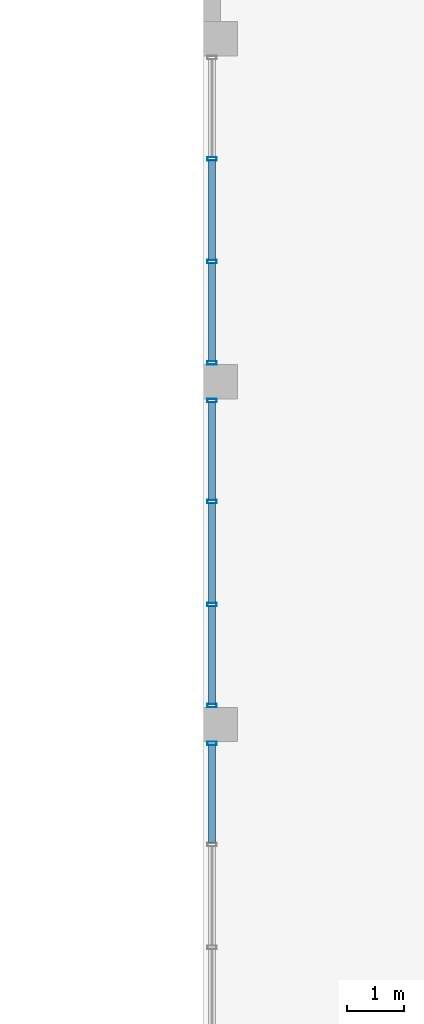
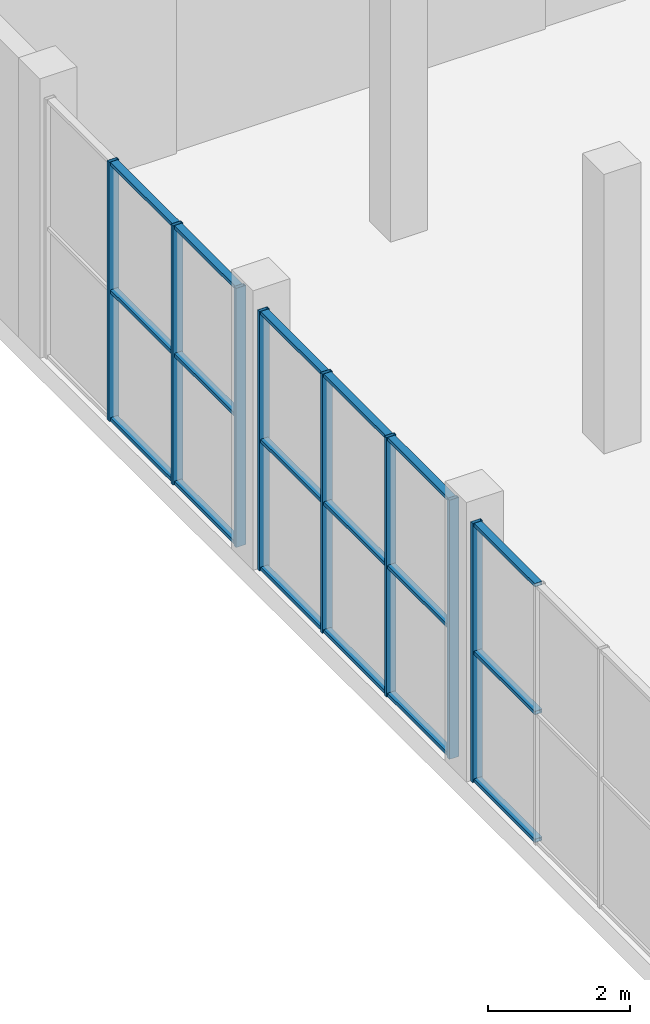
# One storey, part 10 of 45: 26 members, 3 elements without a shape of their own.
"""IFC4 building model written with IfcOpenShell, lengths in metres."""

from ifc_helpers import new_model, si_unit, direction, frame, origin, origin_2d, place, context, subcontext, project, spatial, hollow_rectangle, extrude, material, layer, layer_set, material_profile, profile_set, type_object, element, aggregate, save


model = new_model("IFC4")

# Units and contexts
model_context = context("Model", 3, precision=1e-05, world=origin(), true_north=direction((0.0, 1.0)))
body_context = subcontext(model_context, "Body", "Model", "MODEL_VIEW")
ifc_project = project(units=[si_unit("LENGTHUNIT", "METRE"), si_unit("AREAUNIT", "SQUARE_METRE"), si_unit("VOLUMEUNIT", "CUBIC_METRE"), si_unit("PLANEANGLEUNIT", "RADIAN"), si_unit("MASSUNIT", "GRAM", prefix="KILO")], contexts=[model_context])

# Site, building, storey
site_placement = place(None, origin())
site = spatial("IfcSite", under=ifc_project, at=site_placement, CompositionType="ELEMENT")
building_placement = place(site_placement, origin())
building = spatial("IfcBuilding", under=site, at=building_placement, Name="Nakaniwa Court", CompositionType="ELEMENT")
storey_placement = place(building_placement, frame((0.0, 0.0, 6.60009765625)))
storey = spatial("IfcBuildingStorey", under=building, at=storey_placement, Name="L01", CompositionType="ELEMENT", Elevation=6.60009765625)

# Curtain wall, member
ifc_material_1 = material(Name="Dark low-E laminated glass in black aluminium frame", Category="aluminium")
ifc_layer = layer(ifc_material_1, 0.159912109375)
ifc_layer_set = layer_set([ifc_layer], Name="Dark low-E laminated glass in black aluminium frame")
curtain_wall_type = type_object("IfcCurtainWallType", Name="Hall foyer curtain wall CW6", PredefinedType="NOTDEFINED", material=ifc_layer_set)
curtain_wall_1_placement = place(storey_placement, origin())
curtain_wall_1 = element("IfcCurtainWall", 1, at=curtain_wall_1_placement, inside=storey, type_object=curtain_wall_type, Name="Foyer curtain wall L01:004", PredefinedType="NOTDEFINED")
ifc_material_2 = material(Name="Extruded aluminium 6063-T6 black anodised", Category="aluminium")
ifc_material_profile_1 = material_profile(ifc_material_2, hollow_rectangle(XDim=0.159912109375, YDim=0.06005859375, WallThickness=0.0029296875, at=origin_2d()), Name="CW mullion 160x60")
ifc_profile_set_1 = profile_set([ifc_material_profile_1], Name="Extruded aluminium 6063-T6 black anodised")
member_type_1 = type_object("IfcMemberType", Name="Curtain wall mullion 160x60", PredefinedType="MULLION", material=ifc_profile_set_1)
member_1_placement = place(storey_placement, frame((152.14990234375, 79.669921875, 0.0), z_axis=(0.0, 0.0, 1.0), x_axis=(-1.0, 0.0, 0.0)))
member_1 = element("IfcMember", 2, at=member_1_placement, type_object=member_type_1, Name="HCW-02 mullion 4", PredefinedType="MULLION", context=body_context, shape_type="SweptSolid", body=[
    extrude(hollow_rectangle(XDim=0.159912109375, YDim=0.06005859375, WallThickness=0.0029296875, at=origin_2d()), origin(), (0.0, 0.0, 1.0), 4.449951171875),
])

# Curtain wall, members
curtain_wall_2_placement = place(storey_placement, origin())
curtain_wall_2 = element("IfcCurtainWall", 3, at=curtain_wall_2_placement, inside=storey, type_object=curtain_wall_type, Name="Foyer curtain wall L01:005", PredefinedType="NOTDEFINED")
member_2_placement = place(storey_placement, frame((152.14990234375, 80.330078125, 0.0), z_axis=(0.0, 0.0, 1.0), x_axis=(-1.0, 0.0, 0.0)))
member_2 = element("IfcMember", 4, at=member_2_placement, type_object=member_type_1, Name="HCW-03 mullion 1", PredefinedType="MULLION", context=body_context, shape_type="SweptSolid", body=[
    extrude(hollow_rectangle(XDim=0.159912109375, YDim=0.06005859375, WallThickness=0.0029296875, at=origin_2d()), origin(), (0.0, 0.0, 1.0), 4.449951171875),
])
member_3_placement = place(storey_placement, frame((152.14990234375, 82.10009765625, 0.0), z_axis=(0.0, 0.0, 1.0), x_axis=(-1.0, 0.0, 0.0)))
member_3 = element("IfcMember", 5, at=member_3_placement, type_object=member_type_1, Name="HCW-03 mullion 2", PredefinedType="MULLION", context=body_context, shape_type="SweptSolid", body=[
    extrude(hollow_rectangle(XDim=0.159912109375, YDim=0.06005859375, WallThickness=0.0029296875, at=origin_2d()), origin(), (0.0, 0.0, 1.0), 4.449951171875),
])
member_4_placement = place(storey_placement, frame((152.14990234375, 83.89990234375, 0.0), z_axis=(0.0, 0.0, 1.0), x_axis=(-1.0, 0.0, 0.0)))
member_4 = element("IfcMember", 6, at=member_4_placement, type_object=member_type_1, Name="HCW-03 mullion 3", PredefinedType="MULLION", context=body_context, shape_type="SweptSolid", body=[
    extrude(hollow_rectangle(XDim=0.159912109375, YDim=0.06005859375, WallThickness=0.0029296875, at=origin_2d()), origin(), (0.0, 0.0, 1.0), 4.449951171875),
])
member_5_placement = place(storey_placement, frame((152.14990234375, 85.669921875, 0.0), z_axis=(0.0, 0.0, 1.0), x_axis=(-1.0, 0.0, 0.0)))
member_5 = element("IfcMember", 7, at=member_5_placement, type_object=member_type_1, Name="HCW-03 mullion 4", PredefinedType="MULLION", context=body_context, shape_type="SweptSolid", body=[
    extrude(hollow_rectangle(XDim=0.159912109375, YDim=0.06005859375, WallThickness=0.0029296875, at=origin_2d()), origin(), (0.0, 0.0, 1.0), 4.449951171875),
])

curtain_wall_3_placement = place(storey_placement, origin())
curtain_wall_3 = element("IfcCurtainWall", 8, at=curtain_wall_3_placement, inside=storey, type_object=curtain_wall_type, Name="Foyer curtain wall L01:006", PredefinedType="NOTDEFINED")
member_6_placement = place(storey_placement, frame((152.14990234375, 86.330078125, 0.0), z_axis=(0.0, 0.0, 1.0), x_axis=(-1.0, 0.0, 0.0)))
member_6 = element("IfcMember", 9, at=member_6_placement, type_object=member_type_1, Name="HCW-04 mullion 1", PredefinedType="MULLION", context=body_context, shape_type="SweptSolid", body=[
    extrude(hollow_rectangle(XDim=0.159912109375, YDim=0.06005859375, WallThickness=0.0029296875, at=origin_2d()), origin(), (0.0, 0.0, 1.0), 4.449951171875),
])
member_7_placement = place(storey_placement, frame((152.14990234375, 88.10009765625, 0.0), z_axis=(0.0, 0.0, 1.0), x_axis=(-1.0, 0.0, 0.0)))
member_7 = element("IfcMember", 10, at=member_7_placement, type_object=member_type_1, Name="HCW-04 mullion 2", PredefinedType="MULLION", context=body_context, shape_type="SweptSolid", body=[
    extrude(hollow_rectangle(XDim=0.159912109375, YDim=0.06005859375, WallThickness=0.0029296875, at=origin_2d()), origin(), (0.0, 0.0, 1.0), 4.449951171875),
])
member_8_placement = place(storey_placement, frame((152.14990234375, 89.89990234375, 0.0), z_axis=(0.0, 0.0, 1.0), x_axis=(-1.0, 0.0, 0.0)))
member_8 = element("IfcMember", 11, at=member_8_placement, type_object=member_type_1, Name="HCW-04 mullion 3", PredefinedType="MULLION", context=body_context, shape_type="SweptSolid", body=[
    extrude(hollow_rectangle(XDim=0.159912109375, YDim=0.06005859375, WallThickness=0.0029296875, at=origin_2d()), origin(), (0.0, 0.0, 1.0), 4.449951171875),
])

# Member
ifc_material_profile_2 = material_profile(ifc_material_2, hollow_rectangle(XDim=0.1201171875, YDim=0.06005859375, WallThickness=0.0029296875, at=origin_2d()), Name="CW transom 120x60")
ifc_profile_set_2 = profile_set([ifc_material_profile_2], Name="Extruded aluminium 6063-T6 black anodised")
member_type_2 = type_object("IfcMemberType", Name="Curtain wall transom 120x60", PredefinedType="USERDEFINED", material=ifc_profile_set_2)
member_9_placement = place(storey_placement, frame((152.14990234375, 77.929931640625, 0.02978515625), z_axis=(0.0, 1.0, 0.0), x_axis=(-1.0, 0.0, 0.0)))
member_9 = element("IfcMember", 12, at=member_9_placement, type_object=member_type_2, Name="HCW-02 transom 3.1", ObjectType="TRANSOM", PredefinedType="USERDEFINED", context=body_context, shape_type="SweptSolid", body=[
    extrude(hollow_rectangle(XDim=0.1201171875, YDim=0.06005859375, WallThickness=0.0029296875, at=origin_2d()), origin(), (0.0, 0.0, 1.0), 1.7099609375),
])

member_10_placement = place(storey_placement, frame((152.14990234375, 77.929931640625, 2.224853515625), z_axis=(0.0, 1.0, 0.0), x_axis=(-1.0, 0.0, 0.0)))
member_10 = element("IfcMember", 13, at=member_10_placement, type_object=member_type_2, Name="HCW-02 transom 3.2", ObjectType="TRANSOM", PredefinedType="USERDEFINED", context=body_context, shape_type="SweptSolid", body=[
    extrude(hollow_rectangle(XDim=0.1201171875, YDim=0.06005859375, WallThickness=0.0029296875, at=origin_2d()), origin(), (0.0, 0.0, 1.0), 1.7099609375),
])

member_11_placement = place(storey_placement, frame((152.14990234375, 77.929931640625, 4.419921875), z_axis=(0.0, 1.0, 0.0), x_axis=(-1.0, 0.0, 0.0)))
member_11 = element("IfcMember", 14, at=member_11_placement, type_object=member_type_2, Name="HCW-02 transom 3.3", ObjectType="TRANSOM", PredefinedType="USERDEFINED", context=body_context, shape_type="SweptSolid", body=[
    extrude(hollow_rectangle(XDim=0.1201171875, YDim=0.06005859375, WallThickness=0.0029296875, at=origin_2d()), origin(), (0.0, 0.0, 1.0), 1.7099609375),
])

aggregate(curtain_wall_1, [member_1, member_9, member_10, member_11])

member_12_placement = place(storey_placement, frame((152.14990234375, 80.360107421875, 0.02978515625), z_axis=(0.0, 1.0, 0.0), x_axis=(-1.0, 0.0, 0.0)))
member_12 = element("IfcMember", 15, at=member_12_placement, type_object=member_type_2, Name="HCW-03 transom 1.1", ObjectType="TRANSOM", PredefinedType="USERDEFINED", context=body_context, shape_type="SweptSolid", body=[
    extrude(hollow_rectangle(XDim=0.1201171875, YDim=0.06005859375, WallThickness=0.0029296875, at=origin_2d()), origin(), (0.0, 0.0, 1.0), 1.7099609375),
])

member_13_placement = place(storey_placement, frame((152.14990234375, 80.360107421875, 2.224853515625), z_axis=(0.0, 1.0, 0.0), x_axis=(-1.0, 0.0, 0.0)))
member_13 = element("IfcMember", 16, at=member_13_placement, type_object=member_type_2, Name="HCW-03 transom 1.2", ObjectType="TRANSOM", PredefinedType="USERDEFINED", context=body_context, shape_type="SweptSolid", body=[
    extrude(hollow_rectangle(XDim=0.1201171875, YDim=0.06005859375, WallThickness=0.0029296875, at=origin_2d()), origin(), (0.0, 0.0, 1.0), 1.7099609375),
])

member_14_placement = place(storey_placement, frame((152.14990234375, 80.360107421875, 4.419921875), z_axis=(0.0, 1.0, 0.0), x_axis=(-1.0, 0.0, 0.0)))
member_14 = element("IfcMember", 17, at=member_14_placement, type_object=member_type_2, Name="HCW-03 transom 1.3", ObjectType="TRANSOM", PredefinedType="USERDEFINED", context=body_context, shape_type="SweptSolid", body=[
    extrude(hollow_rectangle(XDim=0.1201171875, YDim=0.06005859375, WallThickness=0.0029296875, at=origin_2d()), origin(), (0.0, 0.0, 1.0), 1.7099609375),
])

member_15_placement = place(storey_placement, frame((152.14990234375, 82.1298828125, 0.02978515625), z_axis=(0.0, 1.0, 0.0), x_axis=(-1.0, 0.0, 0.0)))
member_15 = element("IfcMember", 18, at=member_15_placement, type_object=member_type_2, Name="HCW-03 transom 2.1", ObjectType="TRANSOM", PredefinedType="USERDEFINED", context=body_context, shape_type="SweptSolid", body=[
    extrude(hollow_rectangle(XDim=0.1201171875, YDim=0.06005859375, WallThickness=0.0029296875, at=origin_2d()), origin(), (0.0, 0.0, 1.0), 1.740234375),
])

member_16_placement = place(storey_placement, frame((152.14990234375, 82.1298828125, 2.224853515625), z_axis=(0.0, 1.0, 0.0), x_axis=(-1.0, 0.0, 0.0)))
member_16 = element("IfcMember", 19, at=member_16_placement, type_object=member_type_2, Name="HCW-03 transom 2.2", ObjectType="TRANSOM", PredefinedType="USERDEFINED", context=body_context, shape_type="SweptSolid", body=[
    extrude(hollow_rectangle(XDim=0.1201171875, YDim=0.06005859375, WallThickness=0.0029296875, at=origin_2d()), origin(), (0.0, 0.0, 1.0), 1.740234375),
])

member_17_placement = place(storey_placement, frame((152.14990234375, 82.1298828125, 4.419921875), z_axis=(0.0, 1.0, 0.0), x_axis=(-1.0, 0.0, 0.0)))
member_17 = element("IfcMember", 20, at=member_17_placement, type_object=member_type_2, Name="HCW-03 transom 2.3", ObjectType="TRANSOM", PredefinedType="USERDEFINED", context=body_context, shape_type="SweptSolid", body=[
    extrude(hollow_rectangle(XDim=0.1201171875, YDim=0.06005859375, WallThickness=0.0029296875, at=origin_2d()), origin(), (0.0, 0.0, 1.0), 1.740234375),
])

member_18_placement = place(storey_placement, frame((152.14990234375, 83.929931640625, 0.02978515625), z_axis=(0.0, 1.0, 0.0), x_axis=(-1.0, 0.0, 0.0)))
member_18 = element("IfcMember", 21, at=member_18_placement, type_object=member_type_2, Name="HCW-03 transom 3.1", ObjectType="TRANSOM", PredefinedType="USERDEFINED", context=body_context, shape_type="SweptSolid", body=[
    extrude(hollow_rectangle(XDim=0.1201171875, YDim=0.06005859375, WallThickness=0.0029296875, at=origin_2d()), origin(), (0.0, 0.0, 1.0), 1.7099609375),
])

member_19_placement = place(storey_placement, frame((152.14990234375, 83.929931640625, 2.224853515625), z_axis=(0.0, 1.0, 0.0), x_axis=(-1.0, 0.0, 0.0)))
member_19 = element("IfcMember", 22, at=member_19_placement, type_object=member_type_2, Name="HCW-03 transom 3.2", ObjectType="TRANSOM", PredefinedType="USERDEFINED", context=body_context, shape_type="SweptSolid", body=[
    extrude(hollow_rectangle(XDim=0.1201171875, YDim=0.06005859375, WallThickness=0.0029296875, at=origin_2d()), origin(), (0.0, 0.0, 1.0), 1.7099609375),
])

member_20_placement = place(storey_placement, frame((152.14990234375, 83.929931640625, 4.419921875), z_axis=(0.0, 1.0, 0.0), x_axis=(-1.0, 0.0, 0.0)))
member_20 = element("IfcMember", 23, at=member_20_placement, type_object=member_type_2, Name="HCW-03 transom 3.3", ObjectType="TRANSOM", PredefinedType="USERDEFINED", context=body_context, shape_type="SweptSolid", body=[
    extrude(hollow_rectangle(XDim=0.1201171875, YDim=0.06005859375, WallThickness=0.0029296875, at=origin_2d()), origin(), (0.0, 0.0, 1.0), 1.7099609375),
])

aggregate(curtain_wall_2, [member_2, member_3, member_4, member_5, member_12, member_13, member_14, member_15, member_16, member_17, member_18, member_19, member_20])

member_21_placement = place(storey_placement, frame((152.14990234375, 86.360107421875, 0.02978515625), z_axis=(0.0, 1.0, 0.0), x_axis=(-1.0, 0.0, 0.0)))
member_21 = element("IfcMember", 24, at=member_21_placement, type_object=member_type_2, Name="HCW-04 transom 1.1", ObjectType="TRANSOM", PredefinedType="USERDEFINED", context=body_context, shape_type="SweptSolid", body=[
    extrude(hollow_rectangle(XDim=0.1201171875, YDim=0.06005859375, WallThickness=0.0029296875, at=origin_2d()), origin(), (0.0, 0.0, 1.0), 1.7099609375),
])

member_22_placement = place(storey_placement, frame((152.14990234375, 86.360107421875, 2.224853515625), z_axis=(0.0, 1.0, 0.0), x_axis=(-1.0, 0.0, 0.0)))
member_22 = element("IfcMember", 25, at=member_22_placement, type_object=member_type_2, Name="HCW-04 transom 1.2", ObjectType="TRANSOM", PredefinedType="USERDEFINED", context=body_context, shape_type="SweptSolid", body=[
    extrude(hollow_rectangle(XDim=0.1201171875, YDim=0.06005859375, WallThickness=0.0029296875, at=origin_2d()), origin(), (0.0, 0.0, 1.0), 1.7099609375),
])

member_23_placement = place(storey_placement, frame((152.14990234375, 86.360107421875, 4.419921875), z_axis=(0.0, 1.0, 0.0), x_axis=(-1.0, 0.0, 0.0)))
member_23 = element("IfcMember", 26, at=member_23_placement, type_object=member_type_2, Name="HCW-04 transom 1.3", ObjectType="TRANSOM", PredefinedType="USERDEFINED", context=body_context, shape_type="SweptSolid", body=[
    extrude(hollow_rectangle(XDim=0.1201171875, YDim=0.06005859375, WallThickness=0.0029296875, at=origin_2d()), origin(), (0.0, 0.0, 1.0), 1.7099609375),
])

member_24_placement = place(storey_placement, frame((152.14990234375, 88.1298828125, 0.02978515625), z_axis=(0.0, 1.0, 0.0), x_axis=(-1.0, 0.0, 0.0)))
member_24 = element("IfcMember", 27, at=member_24_placement, type_object=member_type_2, Name="HCW-04 transom 2.1", ObjectType="TRANSOM", PredefinedType="USERDEFINED", context=body_context, shape_type="SweptSolid", body=[
    extrude(hollow_rectangle(XDim=0.1201171875, YDim=0.06005859375, WallThickness=0.0029296875, at=origin_2d()), origin(), (0.0, 0.0, 1.0), 1.740234375),
])

member_25_placement = place(storey_placement, frame((152.14990234375, 88.1298828125, 2.224853515625), z_axis=(0.0, 1.0, 0.0), x_axis=(-1.0, 0.0, 0.0)))
member_25 = element("IfcMember", 28, at=member_25_placement, type_object=member_type_2, Name="HCW-04 transom 2.2", ObjectType="TRANSOM", PredefinedType="USERDEFINED", context=body_context, shape_type="SweptSolid", body=[
    extrude(hollow_rectangle(XDim=0.1201171875, YDim=0.06005859375, WallThickness=0.0029296875, at=origin_2d()), origin(), (0.0, 0.0, 1.0), 1.740234375),
])

member_26_placement = place(storey_placement, frame((152.14990234375, 88.1298828125, 4.419921875), z_axis=(0.0, 1.0, 0.0), x_axis=(-1.0, 0.0, 0.0)))
member_26 = element("IfcMember", 29, at=member_26_placement, type_object=member_type_2, Name="HCW-04 transom 2.3", ObjectType="TRANSOM", PredefinedType="USERDEFINED", context=body_context, shape_type="SweptSolid", body=[
    extrude(hollow_rectangle(XDim=0.1201171875, YDim=0.06005859375, WallThickness=0.0029296875, at=origin_2d()), origin(), (0.0, 0.0, 1.0), 1.740234375),
])

aggregate(curtain_wall_3, [member_6, member_7, member_8, member_21, member_22, member_23, member_24, member_25, member_26])

save(model, "model.ifc")
